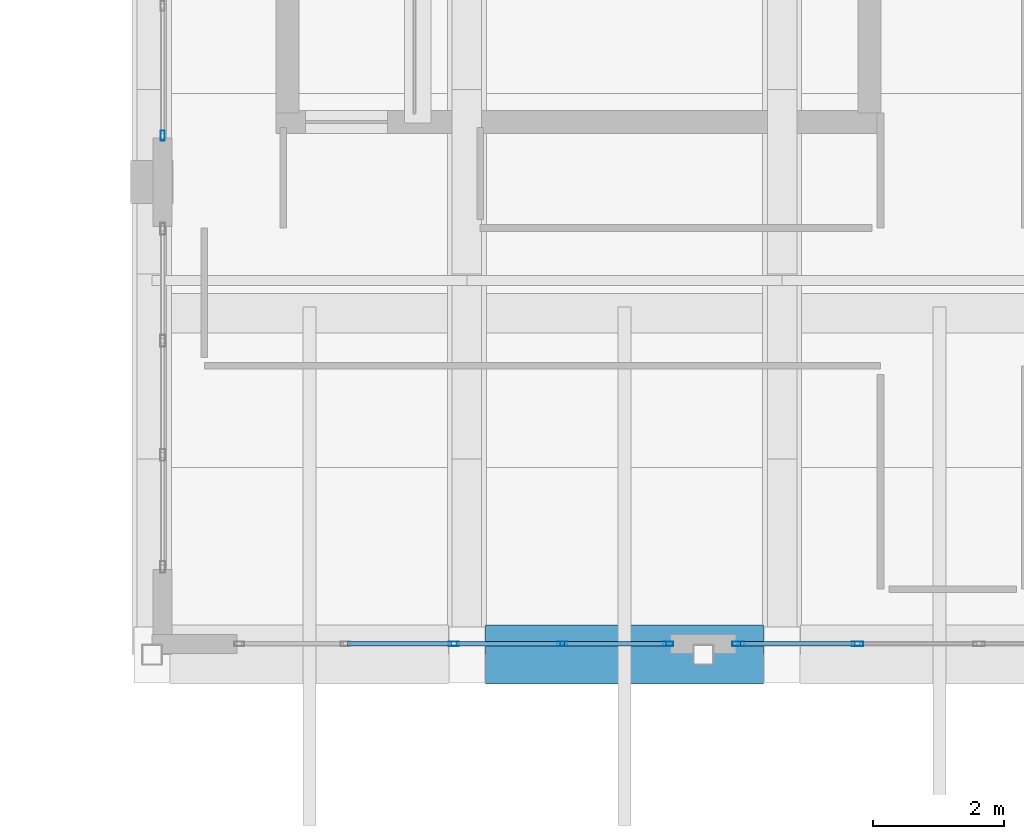
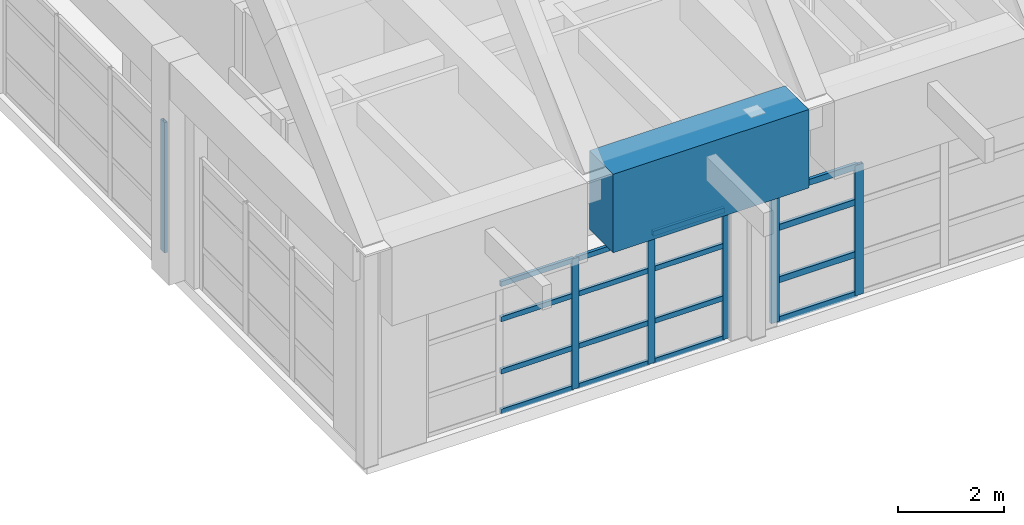
# One storey, part 29 of 78: 22 members, 1 beam, 3 elements without a shape of their own.
"""IFC4 building model written with IfcOpenShell, lengths in metres."""

from ifc_helpers import new_model, si_unit, direction, frame, origin, origin_2d, place, context, subcontext, project, spatial, rectangle, hollow_rectangle, extrude, material, layer, layer_set, material_profile, profile_set, type_object, element, aggregate, save


model = new_model("IFC4")

# Units and contexts
model_context = context("Model", 3, precision=1e-05, world=origin(), true_north=direction((0.0, 1.0)))
body_context = subcontext(model_context, "Body", "Model", "MODEL_VIEW")
ifc_project = project(units=[si_unit("LENGTHUNIT", "METRE"), si_unit("AREAUNIT", "SQUARE_METRE"), si_unit("VOLUMEUNIT", "CUBIC_METRE"), si_unit("PLANEANGLEUNIT", "RADIAN"), si_unit("MASSUNIT", "GRAM", prefix="KILO")], contexts=[model_context])

# Site, building, storey
site_placement = place(None, origin())
site = spatial("IfcSite", under=ifc_project, at=site_placement, CompositionType="ELEMENT")
building_placement = place(site_placement, origin())
building = spatial("IfcBuilding", under=site, at=building_placement, Name="Quendrovan Civic Courthouse", CompositionType="ELEMENT")
storey_placement = place(building_placement, frame((0.0, 0.0, 20.39990234375)))
storey = spatial("IfcBuildingStorey", under=building, at=storey_placement, Name="L05", CompositionType="ELEMENT", Elevation=20.39990234375)

# Beam
ifc_material_1 = material(Name="Concrete C45/55", Category="concrete")
ifc_material_profile_1 = material_profile(ifc_material_1, rectangle(XDim=0.89990234375, YDim=1.800048828125, at=origin_2d()), Name="RC-TG-900x1800")
ifc_profile_set_1 = profile_set([ifc_material_profile_1], Name="Concrete C45/55")
beam_type = type_object("IfcBeamType", Name="BM-TG1800", PredefinedType="BEAM", material=ifc_profile_set_1)
beam_placement = place(storey_placement, frame((114.280029296875, 87.60009765625, 4.2001953125), z_axis=(1.0, 0.0, 0.0), x_axis=(0.0, 1.0, 0.0)))
element("IfcBeam", 1, at=beam_placement, inside=storey, type_object=beam_type, Name="BV1 Springing Collector Girder S-2", PredefinedType="BEAM", context=body_context, shape_type="SweptSolid", body=[
    extrude(rectangle(XDim=0.89990234375, YDim=1.800048828125, at=origin_2d()), origin(), (0.0, 0.0, 1.0), 4.239990234375),
])

# Curtain wall, members
ifc_material_2 = material(Name="Bronze anodised aluminium and low-E glass", Category="aluminium")
ifc_layer_1 = layer(ifc_material_2, 0.179931640625, Name="Bronze anodised aluminium and low-E glass")
ifc_layer_set_1 = layer_set([ifc_layer_1], Name="Bronze anodised aluminium and low-E glass")
curtain_wall_type_1 = type_object("IfcCurtainWallType", Name="CW-U74x30", PredefinedType="USERDEFINED", material=ifc_layer_set_1)
curtain_wall_1_placement = place(storey_placement, origin())
curtain_wall_1 = element("IfcCurtainWall", 2, at=curtain_wall_1_placement, inside=storey, type_object=curtain_wall_type_1, Name="L05 Unitised Hurricane Curtain Wall CW-200", ObjectType="UNITISED CURTAIN WALL", PredefinedType="USERDEFINED")
ifc_material_3 = material(Name="Bronze anodised aluminium", Category="aluminium")
ifc_material_profile_2 = material_profile(ifc_material_3, hollow_rectangle(XDim=0.070068359375, YDim=0.179931640625, WallThickness=0.00390625, at=origin_2d()), Name="CW-MULL-70x180")
ifc_profile_set_2 = profile_set([ifc_material_profile_2], Name="Bronze anodised aluminium")
member_type_1 = type_object("IfcMemberType", Name="CW-MULL-A", PredefinedType="MULLION", material=ifc_profile_set_2)
member_1_placement = place(storey_placement, frame((119.949951171875, 87.764892578125, 0.0), z_axis=(0.0, 0.0, 1.0), x_axis=(0.0, -1.0, 0.0)))
member_1 = element("IfcMember", 3, at=member_1_placement, type_object=member_type_1, Name="CW-200 mullion 4", PredefinedType="MULLION", context=body_context, shape_type="SweptSolid", body=[
    extrude(hollow_rectangle(XDim=0.070068359375, YDim=0.179931640625, WallThickness=0.00390625, at=origin_2d()), origin(), (0.0, 0.0, 1.0), 2.989990234375),
])
member_2_placement = place(storey_placement, frame((118.135009765625, 87.764892578125, 0.0), z_axis=(0.0, 0.0, 1.0), x_axis=(0.0, -1.0, 0.0)))
member_2 = element("IfcMember", 4, at=member_2_placement, type_object=member_type_1, Name="CW-200 mullion 5", PredefinedType="MULLION", context=body_context, shape_type="SweptSolid", body=[
    extrude(hollow_rectangle(XDim=0.070068359375, YDim=0.179931640625, WallThickness=0.00390625, at=origin_2d()), origin(), (0.0, 0.0, 1.0), 2.989990234375),
])

ifc_layer_2 = layer(ifc_material_2, 0.179931640625, Name="Bronze anodised aluminium and low-E glass")
ifc_layer_set_2 = layer_set([ifc_layer_2], Name="Bronze anodised aluminium and low-E glass")
curtain_wall_type_2 = type_object("IfcCurtainWallType", Name="CW-U66x30", PredefinedType="USERDEFINED", material=ifc_layer_set_2)
curtain_wall_2_placement = place(storey_placement, origin())
curtain_wall_2 = element("IfcCurtainWall", 5, at=curtain_wall_2_placement, inside=storey, type_object=curtain_wall_type_2, Name="L05 Unitised Hurricane Curtain Wall CW-201", ObjectType="UNITISED CURTAIN WALL", PredefinedType="USERDEFINED")
ifc_material_profile_3 = material_profile(ifc_material_3, hollow_rectangle(XDim=0.06494140625, YDim=0.14990234375, WallThickness=0.00390625, at=origin_2d()), Name="CW-MULL-65x150")
ifc_profile_set_3 = profile_set([ifc_material_profile_3], Name="Bronze anodised aluminium")
member_type_2 = type_object("IfcMemberType", Name="CW-MULL-B", PredefinedType="MULLION", material=ifc_profile_set_3)
member_3_placement = place(storey_placement, frame((117.0673828125, 87.764892578125, 0.0), z_axis=(0.0, 0.0, 1.0), x_axis=(0.0, -1.0, 0.0)))
member_3 = element("IfcMember", 6, at=member_3_placement, type_object=member_type_2, Name="CW-201 mullion 1", PredefinedType="MULLION", context=body_context, shape_type="SweptSolid", body=[
    extrude(hollow_rectangle(XDim=0.06494140625, YDim=0.14990234375, WallThickness=0.00390625, at=origin_2d()), origin(), (0.0, 0.0, 1.0), 2.989990234375),
])
member_4_placement = place(storey_placement, frame((115.449951171875, 87.764892578125, 0.0), z_axis=(0.0, 0.0, 1.0), x_axis=(0.0, -1.0, 0.0)))
member_4 = element("IfcMember", 7, at=member_4_placement, type_object=member_type_2, Name="CW-201 mullion 2", PredefinedType="MULLION", context=body_context, shape_type="SweptSolid", body=[
    extrude(hollow_rectangle(XDim=0.06494140625, YDim=0.14990234375, WallThickness=0.00390625, at=origin_2d()), origin(), (0.0, 0.0, 1.0), 2.989990234375),
])
member_5_placement = place(storey_placement, frame((113.800048828125, 87.764892578125, 0.0), z_axis=(0.0, 0.0, 1.0), x_axis=(0.0, -1.0, 0.0)))
member_5 = element("IfcMember", 8, at=member_5_placement, type_object=member_type_2, Name="CW-201 mullion 3", PredefinedType="MULLION", context=body_context, shape_type="SweptSolid", body=[
    extrude(hollow_rectangle(XDim=0.06494140625, YDim=0.14990234375, WallThickness=0.00390625, at=origin_2d()), origin(), (0.0, 0.0, 1.0), 2.989990234375),
])

# Curtain wall, member
ifc_layer_3 = layer(ifc_material_2, 0.179931640625, Name="Bronze anodised aluminium and low-E glass")
ifc_layer_set_3 = layer_set([ifc_layer_3], Name="Bronze anodised aluminium and low-E glass")
curtain_wall_type_3 = type_object("IfcCurtainWallType", Name="CW-U60x30", PredefinedType="USERDEFINED", material=ifc_layer_set_3)
curtain_wall_3_placement = place(storey_placement, origin())
curtain_wall_3 = element("IfcCurtainWall", 9, at=curtain_wall_3_placement, inside=storey, type_object=curtain_wall_type_3, Name="L05 Unitised Hurricane Curtain Wall CW-203", ObjectType="UNITISED CURTAIN WALL", PredefinedType="USERDEFINED")
member_6_placement = place(storey_placement, frame((109.364990234375, 95.507568359375, 0.0), z_axis=(0.0, 0.0, 1.0), x_axis=(-1.0, 0.0, 0.0)))
member_6 = element("IfcMember", 10, at=member_6_placement, type_object=member_type_2, Name="CW-203 mullion 1", PredefinedType="MULLION", context=body_context, shape_type="SweptSolid", body=[
    extrude(hollow_rectangle(XDim=0.06494140625, YDim=0.14990234375, WallThickness=0.00390625, at=origin_2d()), origin(), (0.0, 0.0, 1.0), 2.989990234375),
])
aggregate(curtain_wall_3, [member_6])

# Member
ifc_material_profile_4 = material_profile(ifc_material_3, hollow_rectangle(XDim=0.070068359375, YDim=0.139892578125, WallThickness=0.00390625, at=origin_2d()), Name="CW-TRAN-70x140")
ifc_profile_set_4 = profile_set([ifc_material_profile_4], Name="Bronze anodised aluminium")
member_type_3 = type_object("IfcMemberType", Name="CW-TRAN-A", PredefinedType="USERDEFINED", material=ifc_profile_set_4)
member_7_placement = place(storey_placement, frame((119.9150390625, 87.764892578125, 0.03515625), z_axis=(-1.0, 0.0, 0.0), x_axis=(0.0, -1.0, 0.0)))
member_7 = element("IfcMember", 11, at=member_7_placement, type_object=member_type_3, Name="CW-200 transom 4.1", ObjectType="TRANSOM", PredefinedType="USERDEFINED", context=body_context, shape_type="SweptSolid", body=[
    extrude(hollow_rectangle(XDim=0.070068359375, YDim=0.139892578125, WallThickness=0.00390625, at=origin_2d()), origin(), (0.0, 0.0, 1.0), 1.7451171875),
])

member_8_placement = place(storey_placement, frame((119.9150390625, 87.764892578125, 0.9501953125), z_axis=(-1.0, 0.0, 0.0), x_axis=(0.0, -1.0, 0.0)))
member_8 = element("IfcMember", 12, at=member_8_placement, type_object=member_type_3, Name="CW-200 transom 4.2", ObjectType="TRANSOM", PredefinedType="USERDEFINED", context=body_context, shape_type="SweptSolid", body=[
    extrude(hollow_rectangle(XDim=0.070068359375, YDim=0.139892578125, WallThickness=0.00390625, at=origin_2d()), origin(), (0.0, 0.0, 1.0), 1.7451171875),
])

member_9_placement = place(storey_placement, frame((119.9150390625, 87.764892578125, 2.150146484375), z_axis=(-1.0, 0.0, 0.0), x_axis=(0.0, -1.0, 0.0)))
member_9 = element("IfcMember", 13, at=member_9_placement, type_object=member_type_3, Name="CW-200 transom 4.3", ObjectType="TRANSOM", PredefinedType="USERDEFINED", context=body_context, shape_type="SweptSolid", body=[
    extrude(hollow_rectangle(XDim=0.070068359375, YDim=0.139892578125, WallThickness=0.00390625, at=origin_2d()), origin(), (0.0, 0.0, 1.0), 1.7451171875),
])

member_10_placement = place(storey_placement, frame((119.9150390625, 87.764892578125, 2.955078125), z_axis=(-1.0, 0.0, 0.0), x_axis=(0.0, -1.0, 0.0)))
member_10 = element("IfcMember", 14, at=member_10_placement, type_object=member_type_3, Name="CW-200 transom 4.4", ObjectType="TRANSOM", PredefinedType="USERDEFINED", context=body_context, shape_type="SweptSolid", body=[
    extrude(hollow_rectangle(XDim=0.070068359375, YDim=0.139892578125, WallThickness=0.00390625, at=origin_2d()), origin(), (0.0, 0.0, 1.0), 1.7451171875),
])

aggregate(curtain_wall_1, [member_1, member_2, member_7, member_8, member_9, member_10])

ifc_material_profile_5 = material_profile(ifc_material_3, hollow_rectangle(XDim=0.06494140625, YDim=0.114990234375, WallThickness=0.00390625, at=origin_2d()), Name="CW-TRAN-65x115")
ifc_profile_set_5 = profile_set([ifc_material_profile_5], Name="Bronze anodised aluminium")
member_type_4 = type_object("IfcMemberType", Name="CW-TRAN-B", PredefinedType="USERDEFINED", material=ifc_profile_set_5)
member_11_placement = place(storey_placement, frame((117.034912109375, 87.764892578125, 0.03271484375), z_axis=(-1.0, 0.0, 0.0), x_axis=(0.0, -1.0, 0.0)))
member_11 = element("IfcMember", 15, at=member_11_placement, type_object=member_type_4, Name="CW-201 transom 1.1", ObjectType="TRANSOM", PredefinedType="USERDEFINED", context=body_context, shape_type="SweptSolid", body=[
    extrude(hollow_rectangle(XDim=0.06494140625, YDim=0.114990234375, WallThickness=0.00390625, at=origin_2d()), origin(), (0.0, 0.0, 1.0), 1.552490234375),
])

member_12_placement = place(storey_placement, frame((117.034912109375, 87.764892578125, 0.9501953125), z_axis=(-1.0, 0.0, 0.0), x_axis=(0.0, -1.0, 0.0)))
member_12 = element("IfcMember", 16, at=member_12_placement, type_object=member_type_4, Name="CW-201 transom 1.2", ObjectType="TRANSOM", PredefinedType="USERDEFINED", context=body_context, shape_type="SweptSolid", body=[
    extrude(hollow_rectangle(XDim=0.06494140625, YDim=0.114990234375, WallThickness=0.00390625, at=origin_2d()), origin(), (0.0, 0.0, 1.0), 1.552490234375),
])

member_13_placement = place(storey_placement, frame((117.034912109375, 87.764892578125, 2.150146484375), z_axis=(-1.0, 0.0, 0.0), x_axis=(0.0, -1.0, 0.0)))
member_13 = element("IfcMember", 17, at=member_13_placement, type_object=member_type_4, Name="CW-201 transom 1.3", ObjectType="TRANSOM", PredefinedType="USERDEFINED", context=body_context, shape_type="SweptSolid", body=[
    extrude(hollow_rectangle(XDim=0.06494140625, YDim=0.114990234375, WallThickness=0.00390625, at=origin_2d()), origin(), (0.0, 0.0, 1.0), 1.552490234375),
])

member_14_placement = place(storey_placement, frame((117.034912109375, 87.764892578125, 2.95751953125), z_axis=(-1.0, 0.0, 0.0), x_axis=(0.0, -1.0, 0.0)))
member_14 = element("IfcMember", 18, at=member_14_placement, type_object=member_type_4, Name="CW-201 transom 1.4", ObjectType="TRANSOM", PredefinedType="USERDEFINED", context=body_context, shape_type="SweptSolid", body=[
    extrude(hollow_rectangle(XDim=0.06494140625, YDim=0.114990234375, WallThickness=0.00390625, at=origin_2d()), origin(), (0.0, 0.0, 1.0), 1.552490234375),
])

member_15_placement = place(storey_placement, frame((115.41748046875, 87.764892578125, 0.03271484375), z_axis=(-1.0, 0.0, 0.0), x_axis=(0.0, -1.0, 0.0)))
member_15 = element("IfcMember", 19, at=member_15_placement, type_object=member_type_4, Name="CW-201 transom 2.1", ObjectType="TRANSOM", PredefinedType="USERDEFINED", context=body_context, shape_type="SweptSolid", body=[
    extrude(hollow_rectangle(XDim=0.06494140625, YDim=0.114990234375, WallThickness=0.00390625, at=origin_2d()), origin(), (0.0, 0.0, 1.0), 1.5849609375),
])

member_16_placement = place(storey_placement, frame((115.41748046875, 87.764892578125, 0.9501953125), z_axis=(-1.0, 0.0, 0.0), x_axis=(0.0, -1.0, 0.0)))
member_16 = element("IfcMember", 20, at=member_16_placement, type_object=member_type_4, Name="CW-201 transom 2.2", ObjectType="TRANSOM", PredefinedType="USERDEFINED", context=body_context, shape_type="SweptSolid", body=[
    extrude(hollow_rectangle(XDim=0.06494140625, YDim=0.114990234375, WallThickness=0.00390625, at=origin_2d()), origin(), (0.0, 0.0, 1.0), 1.5849609375),
])

member_17_placement = place(storey_placement, frame((115.41748046875, 87.764892578125, 2.150146484375), z_axis=(-1.0, 0.0, 0.0), x_axis=(0.0, -1.0, 0.0)))
member_17 = element("IfcMember", 21, at=member_17_placement, type_object=member_type_4, Name="CW-201 transom 2.3", ObjectType="TRANSOM", PredefinedType="USERDEFINED", context=body_context, shape_type="SweptSolid", body=[
    extrude(hollow_rectangle(XDim=0.06494140625, YDim=0.114990234375, WallThickness=0.00390625, at=origin_2d()), origin(), (0.0, 0.0, 1.0), 1.5849609375),
])

member_18_placement = place(storey_placement, frame((115.41748046875, 87.764892578125, 2.95751953125), z_axis=(-1.0, 0.0, 0.0), x_axis=(0.0, -1.0, 0.0)))
member_18 = element("IfcMember", 22, at=member_18_placement, type_object=member_type_4, Name="CW-201 transom 2.4", ObjectType="TRANSOM", PredefinedType="USERDEFINED", context=body_context, shape_type="SweptSolid", body=[
    extrude(hollow_rectangle(XDim=0.06494140625, YDim=0.114990234375, WallThickness=0.00390625, at=origin_2d()), origin(), (0.0, 0.0, 1.0), 1.5849609375),
])

member_19_placement = place(storey_placement, frame((113.767578125, 87.764892578125, 0.03271484375), z_axis=(-1.0, 0.0, 0.0), x_axis=(0.0, -1.0, 0.0)))
member_19 = element("IfcMember", 23, at=member_19_placement, type_object=member_type_4, Name="CW-201 transom 3.1", ObjectType="TRANSOM", PredefinedType="USERDEFINED", context=body_context, shape_type="SweptSolid", body=[
    extrude(hollow_rectangle(XDim=0.06494140625, YDim=0.114990234375, WallThickness=0.00390625, at=origin_2d()), origin(), (0.0, 0.0, 1.0), 1.5849609375),
])

member_20_placement = place(storey_placement, frame((113.767578125, 87.764892578125, 0.9501953125), z_axis=(-1.0, 0.0, 0.0), x_axis=(0.0, -1.0, 0.0)))
member_20 = element("IfcMember", 24, at=member_20_placement, type_object=member_type_4, Name="CW-201 transom 3.2", ObjectType="TRANSOM", PredefinedType="USERDEFINED", context=body_context, shape_type="SweptSolid", body=[
    extrude(hollow_rectangle(XDim=0.06494140625, YDim=0.114990234375, WallThickness=0.00390625, at=origin_2d()), origin(), (0.0, 0.0, 1.0), 1.5849609375),
])

member_21_placement = place(storey_placement, frame((113.767578125, 87.764892578125, 2.150146484375), z_axis=(-1.0, 0.0, 0.0), x_axis=(0.0, -1.0, 0.0)))
member_21 = element("IfcMember", 25, at=member_21_placement, type_object=member_type_4, Name="CW-201 transom 3.3", ObjectType="TRANSOM", PredefinedType="USERDEFINED", context=body_context, shape_type="SweptSolid", body=[
    extrude(hollow_rectangle(XDim=0.06494140625, YDim=0.114990234375, WallThickness=0.00390625, at=origin_2d()), origin(), (0.0, 0.0, 1.0), 1.5849609375),
])

member_22_placement = place(storey_placement, frame((113.767578125, 87.764892578125, 2.95751953125), z_axis=(-1.0, 0.0, 0.0), x_axis=(0.0, -1.0, 0.0)))
member_22 = element("IfcMember", 26, at=member_22_placement, type_object=member_type_4, Name="CW-201 transom 3.4", ObjectType="TRANSOM", PredefinedType="USERDEFINED", context=body_context, shape_type="SweptSolid", body=[
    extrude(hollow_rectangle(XDim=0.06494140625, YDim=0.114990234375, WallThickness=0.00390625, at=origin_2d()), origin(), (0.0, 0.0, 1.0), 1.5849609375),
])

aggregate(curtain_wall_2, [member_3, member_4, member_5, member_11, member_12, member_13, member_14, member_15, member_16, member_17, member_18, member_19, member_20, member_21, member_22])

save(model, "model.ifc")
